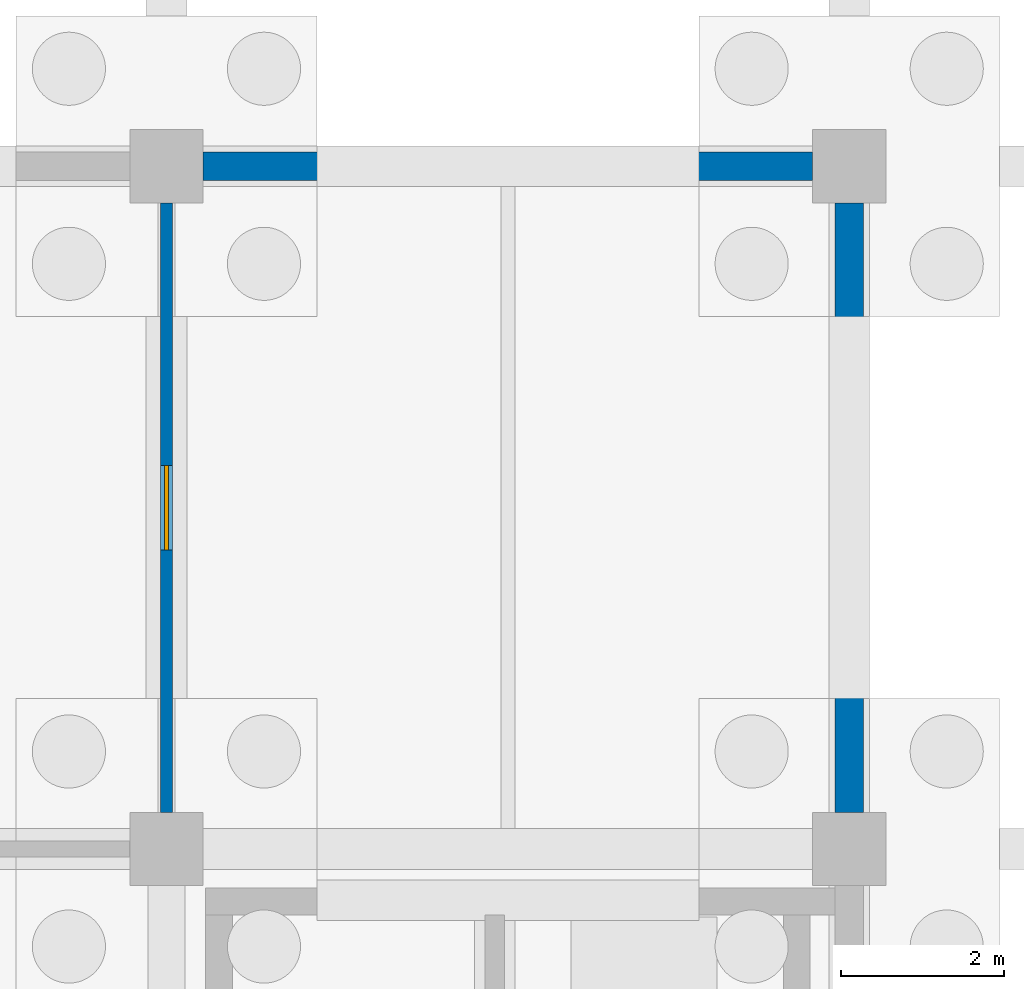
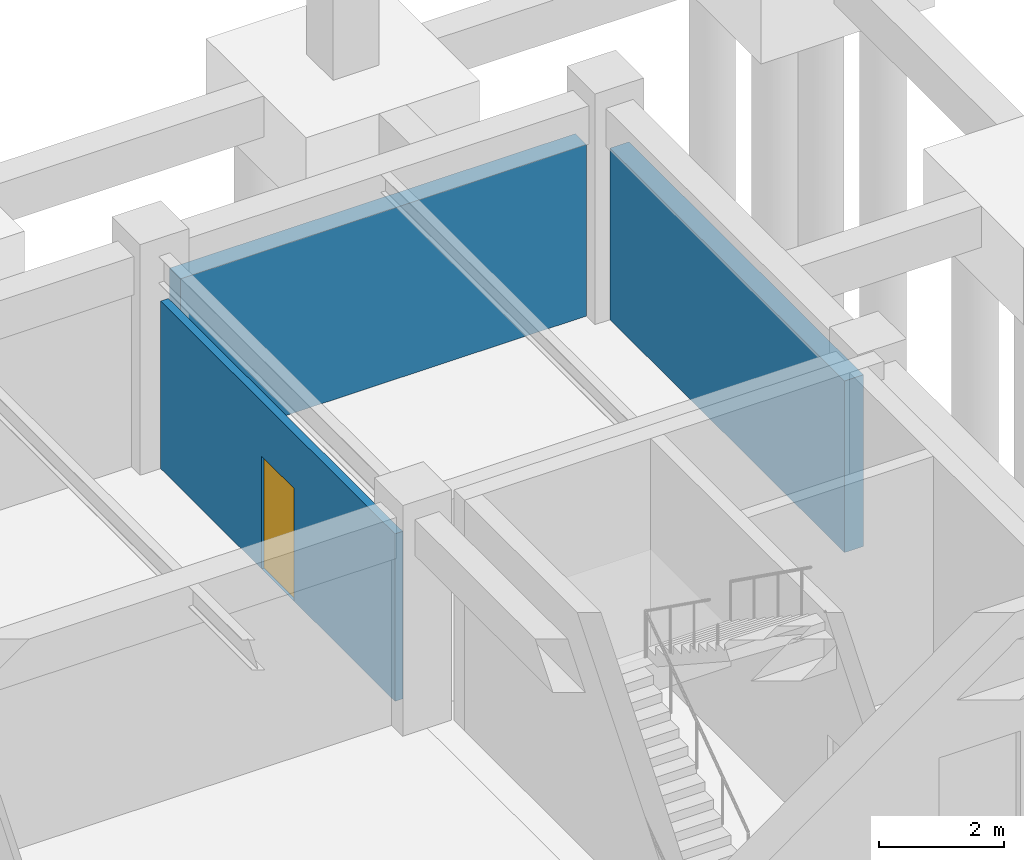
# One storey, part 25 of 29: 3 walls, 1 door, 1 opening.
"""IFC4 building model written with IfcOpenShell, lengths in metres."""

from ifc_helpers import new_model, si_unit, direction, frame, frame_2d, origin, place, context, subcontext, project, spatial, rectangle, extrude, material, layer, layer_set, type_object, element, fill, save


model = new_model("IFC4")

# Units and contexts
model_context = context("Model", 3, precision=1e-05, world=origin(), true_north=direction((0.0, 1.0)))
body_context = subcontext(model_context, "Body", "Model", "MODEL_VIEW")
ifc_project = project(units=[si_unit("LENGTHUNIT", "METRE"), si_unit("AREAUNIT", "SQUARE_METRE"), si_unit("VOLUMEUNIT", "CUBIC_METRE"), si_unit("PLANEANGLEUNIT", "RADIAN"), si_unit("MASSUNIT", "GRAM", prefix="KILO")], contexts=[model_context])

# Site, building, storey
site_placement = place(None, origin())
site = spatial("IfcSite", under=ifc_project, at=site_placement, CompositionType="ELEMENT")
building_placement = place(site_placement, origin())
building = spatial("IfcBuilding", under=site, at=building_placement, Name="Porcellanite Civic Hall", CompositionType="ELEMENT")
storey_placement = place(building_placement, frame((0.0, 0.0, -4.5)))
storey = spatial("IfcBuildingStorey", under=building, at=storey_placement, Name="B1", CompositionType="ELEMENT", Elevation=-4.5)

# Walls
ifc_material_1 = material(Name="Concrete N40 (40 MPa)", Category="concrete")
ifc_layer_1 = layer(ifc_material_1, 0.35009765625)
ifc_layer_set_1 = layer_set([ifc_layer_1], Name="Concrete N40 (40 MPa)")
wall_type_1 = type_object("IfcWallType", Name="EW-BSM350", PredefinedType="SOLIDWALL", material=ifc_layer_set_1)
for number, where, z_axis, x_axis, name in (
    (1, (160.051025390625, 67.199951171875, 0.0), (0.0, 0.0, 1.0), (1.0, 0.0, 0.0), "Exterior wall B1 N 20-8"),
    (2, (168.0, 66.7490234375, 0.0), (0.0, 0.0, 1.0), (0.0, -1.0, 0.0), "Exterior wall B1 E 20-8"),
):
    element("IfcWall", number, at=place(storey_placement, frame(where, z_axis=z_axis, x_axis=x_axis)), inside=storey, type_object=wall_type_1, Name=name, PredefinedType="SOLIDWALL", context=body_context, shape_type="SweptSolid", body=[
        extrude(rectangle(XDim=7.498046875, YDim=0.35009765625, at=frame_2d((3.7490234375, 0.0))), origin(), (0.0, 0.0, 1.0), 3.35009765625),
    ])

# Wall, opening, door
ifc_material_2 = material(Name="Insulated acoustic plasterboard on light-gauge steel studs", Category="steel")
ifc_layer_2 = layer(ifc_material_2, 0.14501953125)
ifc_layer_set_2 = layer_set([ifc_layer_2], Name="Insulated acoustic plasterboard on light-gauge steel studs")
wall_type_2 = type_object("IfcWallType", Name="IW-PT145", PredefinedType="PARTITIONING", material=ifc_layer_set_2)
wall_placement = place(storey_placement, frame((159.60009765625, 59.251953125, 0.0), z_axis=(0.0, 0.0, 1.0), x_axis=(0.0, 1.0, 0.0)))
wall = element("IfcWall", 3, at=wall_placement, inside=storey, type_object=wall_type_2, Name="Partition B1 V 19-8", PredefinedType="PARTITIONING", context=body_context, shape_type="SweptSolid", body=[
    extrude(rectangle(XDim=7.49609375, YDim=0.14501953125, at=frame_2d((3.748046875, 0.0))), origin(), (0.0, 0.0, 1.0), 3.27001953125),
])
opening_placement = place(wall_placement, frame((3.22802734375, 0.0, 0.0)))
opening = element("IfcOpeningElement", 4, at=opening_placement, cuts=wall, Name="Opening D-B1-028", PredefinedType="OPENING", context=body_context, shape_type="SweptSolid", body=[
    extrude(rectangle(XDim=1.0400390625, YDim=2.199951171875, at=frame_2d((0.52001953125, 1.10009765625))), frame((0.0, 0.072509765625, 0.0), z_axis=(0.0, -1.0, 0.0), x_axis=(1.0, 0.0, 0.0)), (0.0, 0.0, 1.0), 0.14501953125),
])
ifc_material_3 = material(Name="Solid-core spotted-gum timber", Category="wood")
door_type = type_object("IfcDoorType", Name="DR-RM104", OperationType="NOTDEFINED", PredefinedType="DOOR", material=ifc_material_3)
door_placement = place(opening_placement, origin())
door = element("IfcDoor", 5, at=door_placement, inside=storey, type_object=door_type, Name="Interior door D-B1-028", OperationType="SINGLE_SWING_RIGHT", OverallHeight=2.199951171875, OverallWidth=1.0400390625, PredefinedType="DOOR", context=body_context, shape_type="SweptSolid", body=[
    extrude(rectangle(XDim=1.0400390625, YDim=2.199951171875, at=frame_2d((0.52001953125, 1.10009765625))), frame((0.0, 0.02490234375, 0.0), z_axis=(0.0, -1.0, 0.0), x_axis=(1.0, 0.0, 0.0)), (0.0, 0.0, 1.0), 0.050048828125),
])
fill(opening, door)

save(model, "model.ifc")
